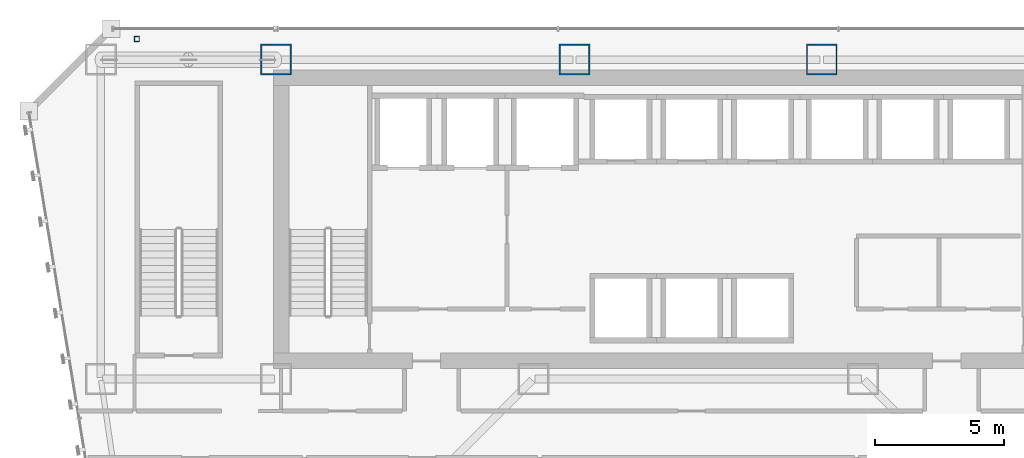
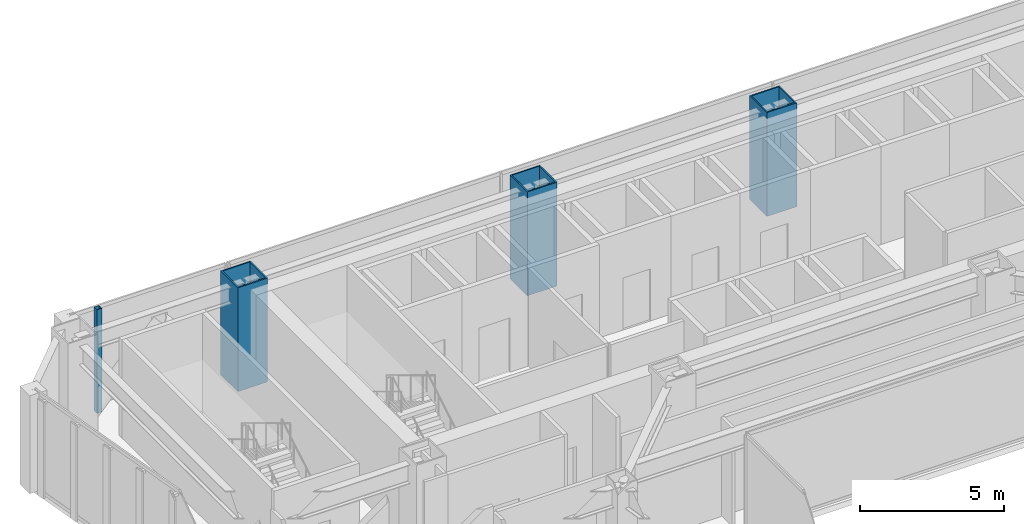
# One storey, part 2 of 47: 4 columns.
"""IFC4 building model written with IfcOpenShell, lengths in metres."""

import ifcopenshell
import ifcopenshell.guid

model = None  # the IFC model being written
_history = None  # IfcOwnerHistory: only IFC2X3 demands one
_inside = {}  # id of a spatial element -> (the spatial element, [elements in it])
_under = {}  # id of a project, library or spatial element -> (it, [spatial elements below it])
_declared = {}  # id of a project -> (the project, [libraries it declares])
_typed = {}  # id of a type object -> (the type object, [elements of that type])
_made_of = {}  # id of a material, layer set ... -> (it, [elements and type objects made of it])


def new_model(schema):
    """Start an empty IFC model of exactly this schema.

    Asked for "IFC4X3", IfcOpenShell would pick the latest addendum, in which some entities
    have other attributes; the version numbers below select the first issue.
    IFC2X3 requires an IfcOwnerHistory on every rooted entity: one is made here for all.
    """
    global model, _history
    if schema == "IFC4X3":
        model = ifcopenshell.file(schema_version=(4, 3, 0, 0))
    else:
        model = ifcopenshell.file(schema=schema)
    _inside.clear()
    _under.clear()
    _declared.clear()
    _typed.clear()
    _made_of.clear()
    _history = None
    if model.schema == "IFC2X3":
        org = make("IfcOrganization", Name="unknown")
        user = make(
            "IfcPersonAndOrganization",
            ThePerson=make("IfcPerson", FamilyName="unknown"),
            TheOrganization=org,
        )
        app = make(
            "IfcApplication",
            ApplicationDeveloper=org,
            Version="unknown",
            ApplicationFullName="unknown",
            ApplicationIdentifier="unknown",
        )
        _history = make(
            "IfcOwnerHistory",
            OwningUser=user,
            OwningApplication=app,
            ChangeAction="ADDED",
            CreationDate=0,
        )
    return model


def make(cls, **values):
    """One entity of the class cls with the attributes given. An attribute that is None is left unset."""
    return model.create_entity(
        cls, **{name: value for name, value in values.items() if value is not None}
    )


def rooted(cls, **values):
    """An entity with a GlobalId (a new one), such as an element, a storey or a relation."""
    return make(cls, GlobalId=ifcopenshell.guid.new(), OwnerHistory=_history, **values)


def si_unit(unit_type, name, prefix=None):
    """IfcSIUnit, for example si_unit("LENGTHUNIT", "METRE", prefix="MILLI")."""
    return make("IfcSIUnit", UnitType=unit_type, Prefix=prefix, Name=name)


def assignment(units):
    """IfcUnitAssignment: the units of a project."""
    return None if units is None else make("IfcUnitAssignment", Units=units)


def point(xyz):
    """IfcCartesianPoint."""
    return None if xyz is None else make("IfcCartesianPoint", Coordinates=xyz)


def direction(xyz):
    """IfcDirection."""
    return None if xyz is None else make("IfcDirection", DirectionRatios=xyz)


def frame(location, z_axis=None, x_axis=None):
    """IfcAxis2Placement3D, a coordinate frame: its origin and axes. An axis left out is left unset."""
    return make(
        "IfcAxis2Placement3D",
        Location=point(location),
        Axis=direction(z_axis),
        RefDirection=direction(x_axis),
    )


def frame_2d(location, x_axis=None):
    """IfcAxis2Placement2D, a coordinate frame in the plane: its origin and x axis."""
    return make(
        "IfcAxis2Placement2D", Location=point(location), RefDirection=direction(x_axis)
    )


def origin():
    """The frame at (0, 0, 0) with its axes left unset."""
    return frame((0.0, 0.0, 0.0))


def origin_2d():
    """The frame at (0, 0) in the plane with its x axis left unset."""
    return frame_2d((0.0, 0.0))


def place(relative_to, where):
    """IfcLocalPlacement: puts the frame where relative to a parent placement (None: the world)."""
    return make(
        "IfcLocalPlacement", PlacementRelTo=relative_to, RelativePlacement=where
    )


def context(
    kind, dimensions, precision=None, world=None, true_north=None, identifier=None
):
    """IfcGeometricRepresentationContext, for example the 3D "Model" context."""
    return make(
        "IfcGeometricRepresentationContext",
        ContextIdentifier=identifier,
        ContextType=kind,
        CoordinateSpaceDimension=dimensions,
        Precision=precision,
        WorldCoordinateSystem=world,
        TrueNorth=true_north,
    )


def subcontext(parent, identifier, kind, view, scale=None):
    """IfcGeometricRepresentationSubContext, for example "Body" below "Model"."""
    return make(
        "IfcGeometricRepresentationSubContext",
        ContextIdentifier=identifier,
        ContextType=kind,
        ParentContext=parent,
        TargetScale=scale,
        TargetView=view,
    )


def project(units=None, contexts=None):
    """IfcProject with its units and contexts."""
    return rooted(
        "IfcProject",
        Name="project",
        RepresentationContexts=contexts,
        UnitsInContext=assignment(units),
    )


def spatial(cls, under=None, at=None, **own):
    """A site, building, storey or space (cls), placed at a placement, below another one or the project."""
    s = rooted(cls, ObjectPlacement=at, **own)
    if under is not None:
        _under.setdefault(under.id(), (under, []))[1].append(s)
    return s


def profile(cls, at=None, kind="AREA", **sizes):
    """A parametric profile (cls). Its sizes go by their IFC names, for example OverallWidth=200.0."""
    return make(cls, ProfileType=kind, Position=at, **sizes)


def hollow_rectangle(**sizes):
    """IfcRectangleHollowProfileDef."""
    return profile("IfcRectangleHollowProfileDef", **sizes)


def extrude(swept, where, along, depth):
    """IfcExtrudedAreaSolid: the profile swept, set in the frame where, extruded along a direction by depth."""
    return make(
        "IfcExtrudedAreaSolid",
        SweptArea=swept,
        Position=where,
        ExtrudedDirection=direction(along),
        Depth=depth,
    )


def shape(context_of_items, identifier, shape_type, items):
    """IfcShapeRepresentation: the items that make up one representation, for example the "Body"."""
    return make(
        "IfcShapeRepresentation",
        ContextOfItems=context_of_items,
        RepresentationIdentifier=identifier,
        RepresentationType=shape_type,
        Items=items,
    )


def material(Name=None, Category=None):
    """IfcMaterial."""
    return make("IfcMaterial", Name=Name, Category=Category)


def material_profile(
    of_material, cross_section, Name=None, Category=None, Priority=None
):
    """IfcMaterialProfile: a cross section and its material."""
    return make(
        "IfcMaterialProfile",
        Name=Name,
        Material=of_material,
        Profile=cross_section,
        Priority=Priority,
        Category=Category,
    )


def profile_set(profiles, Name=None, composite=None):
    """IfcMaterialProfileSet."""
    return make(
        "IfcMaterialProfileSet",
        Name=Name,
        MaterialProfiles=profiles,
        CompositeProfile=composite,
    )


def made_of(thing, what):
    """Note that an element or type object is made of a material, layer set ...; save() writes the relation."""
    if what is not None:
        _made_of.setdefault(what.id(), (what, []))[1].append(thing)
    return thing


def type_object(cls, material=None, **own):
    """A type object (cls), such as IfcWallType, which elements share."""
    return made_of(rooted(cls, **own), material)


def element(
    cls,
    number,
    at=None,
    inside=None,
    cuts=None,
    type_object=None,
    material=None,
    context=None,
    identifier="Body",
    shape_type=None,
    held_by="IfcProductDefinitionShape",
    body=None,
    shapes=None,
    **own,
):
    """One element of the class cls, such as IfcWall. Its Tag is "e" and its number.

    at: its placement. inside: the storey or other place that contains it. cuts: it is an
    opening in that element (IfcRelVoidsElement). A single representation is given by context,
    identifier, shape_type and body (its items); several are given by shapes. held_by: the class
    of the entity that holds the representations. save() writes the other relations.
    """
    e = rooted(cls, Tag="e%d" % number, ObjectPlacement=at, **own)
    if body is not None:
        shapes = [shape(context, identifier, shape_type, body)]
    if shapes is not None:
        e.Representation = make(held_by, Representations=shapes)
    if inside is not None:
        _inside.setdefault(inside.id(), (inside, []))[1].append(e)
    if cuts is not None:
        rooted(
            "IfcRelVoidsElement", RelatingBuildingElement=cuts, RelatedOpeningElement=e
        )
    if type_object is not None:
        _typed.setdefault(type_object.id(), (type_object, []))[1].append(e)
    return made_of(e, material)


def aggregate(whole, parts):
    """IfcRelAggregates: a whole, such as a stair, and the parts it consists of."""
    return rooted("IfcRelAggregates", RelatingObject=whole, RelatedObjects=parts)


def save(model, path):
    """Write the relations noted so far, then the file.

    IfcRelAggregates (storeys below a building ...), IfcRelContainedInSpatialStructure (elements
    in a storey), IfcRelDefinesByType, IfcRelAssociatesMaterial and IfcRelDeclares: one each for
    every whole, place, type object, material and project.
    """
    for whole, parts in _under.values():
        aggregate(whole, parts)
    for where, things in _inside.values():
        rooted(
            "IfcRelContainedInSpatialStructure",
            RelatedElements=things,
            RelatingStructure=where,
        )
    for kind, things in _typed.values():
        rooted("IfcRelDefinesByType", RelatedObjects=things, RelatingType=kind)
    for what, things in _made_of.values():
        rooted("IfcRelAssociatesMaterial", RelatedObjects=things, RelatingMaterial=what)
    for by, libraries in _declared.values():
        rooted("IfcRelDeclares", RelatingContext=by, RelatedDefinitions=libraries)
    model.write(path)


model = new_model("IFC4")

# Units and contexts
model_context = context("Model", 3, precision=1e-05, world=origin(), true_north=direction((0.0, 1.0)))
body_context = subcontext(model_context, "Body", "Model", "MODEL_VIEW")
ifc_project = project(units=[si_unit("LENGTHUNIT", "METRE"), si_unit("AREAUNIT", "SQUARE_METRE"), si_unit("VOLUMEUNIT", "CUBIC_METRE"), si_unit("PLANEANGLEUNIT", "RADIAN"), si_unit("MASSUNIT", "GRAM", prefix="KILO")], contexts=[model_context])

# Site, building, storey
site_placement = place(None, origin())
site = spatial("IfcSite", under=ifc_project, at=site_placement, CompositionType="ELEMENT")
building_placement = place(site_placement, origin())
building = spatial("IfcBuilding", under=site, at=building_placement, Name="Saevonmaru Cultural Tower", CompositionType="ELEMENT")
storey_placement = place(building_placement, frame((0.0, 0.0, 60.39990234375)))
storey = spatial("IfcBuildingStorey", under=building, at=storey_placement, Name="L12", CompositionType="ELEMENT", Elevation=60.39990234375)

# Columns
ifc_material_1 = material(Name="Steel HSA600 (600 MPa)", Category="steel")
ifc_material_profile_1 = material_profile(ifc_material_1, hollow_rectangle(XDim=1.199951171875, YDim=1.199951171875, WallThickness=0.054931640625, at=origin_2d()), Name="BOX-1200x1200x55")
ifc_profile_set_1 = profile_set([ifc_material_profile_1], Name="Steel HSA600 (600 MPa)")
column_type_1 = type_object("IfcColumnType", Name="COL-BOX-1200", PredefinedType="COLUMN", material=ifc_profile_set_1)
for number, where, z_axis, x_axis, name in (
    (1, (13.60009765625, 54.800048828125, 0.0), (0.0, 0.0, 1.0), (1.0, 0.0, 0.0), "L12 Column TC-N2N"),
    (2, (25.199951171875, 54.800048828125, 0.0), (0.0, 0.0, 1.0), (1.0, 0.0, 0.0), "L12 Column TC-N3N"),
    (3, (34.800048828125, 54.800048828125, 0.0), (0.0, 0.0, 1.0), (1.0, 0.0, 0.0), "L12 Column TC-N4N"),
):
    element("IfcColumn", number, at=place(storey_placement, frame(where, z_axis=z_axis, x_axis=x_axis)), inside=storey, type_object=column_type_1, Name=name, PredefinedType="COLUMN", context=body_context, shape_type="SweptSolid", body=[
        extrude(hollow_rectangle(XDim=1.199951171875, YDim=1.199951171875, WallThickness=0.054931640625, at=origin_2d()), origin(), (0.0, 0.0, 1.0), 4.400146484375),
    ])
ifc_material_2 = material(Name="Steel SM355", Category="steel")
ifc_material_profile_2 = material_profile(ifc_material_2, hollow_rectangle(XDim=0.199951171875, YDim=0.199951171875, WallThickness=0.010009765625, at=origin_2d()), Name="SHS-200x200x10")
ifc_profile_set_2 = profile_set([ifc_material_profile_2], Name="Steel SM355")
column_type_2 = type_object("IfcColumnType", Name="PIL-SHS-200", PredefinedType="PILASTER", material=ifc_profile_set_2)
column_placement = place(storey_placement, frame((8.199951171875, 55.60009765625, 0.0), z_axis=(0.0, 0.0, 1.0), x_axis=(1.0, 0.0, 0.0)))
element("IfcColumn", 4, at=column_placement, inside=storey, type_object=column_type_2, Name="L12 Art Deco Bronze-Clad Pilaster PIL-NW", PredefinedType="PILASTER", context=body_context, shape_type="SweptSolid", body=[
    extrude(hollow_rectangle(XDim=0.199951171875, YDim=0.199951171875, WallThickness=0.010009765625, at=origin_2d()), origin(), (0.0, 0.0, 1.0), 4.400146484375),
])

save(model, "model.ifc")
